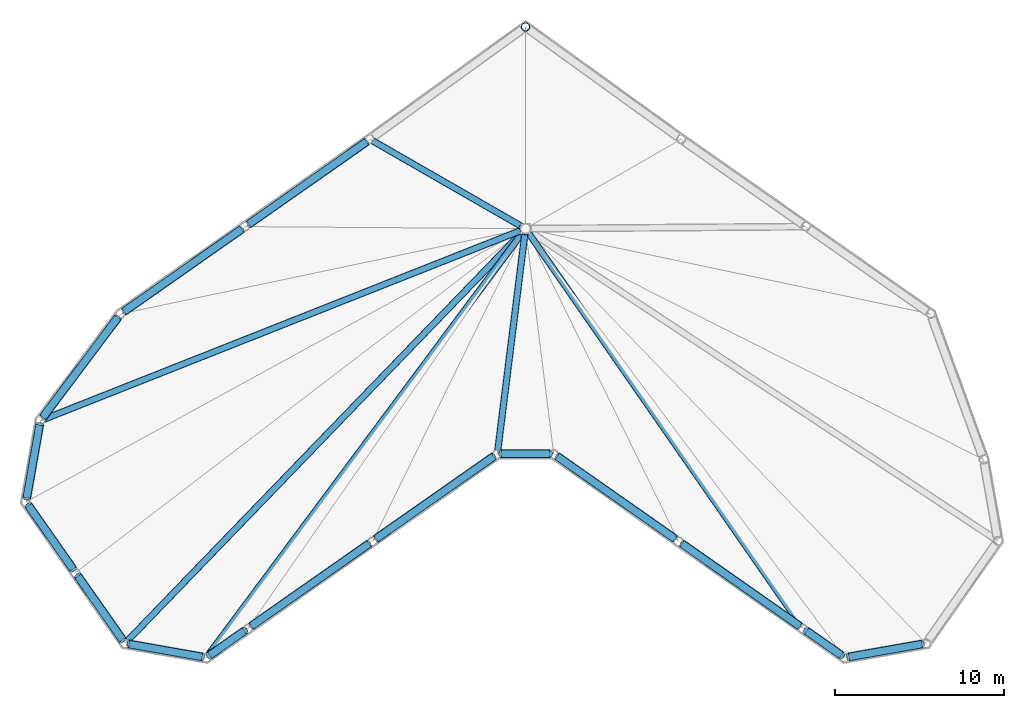
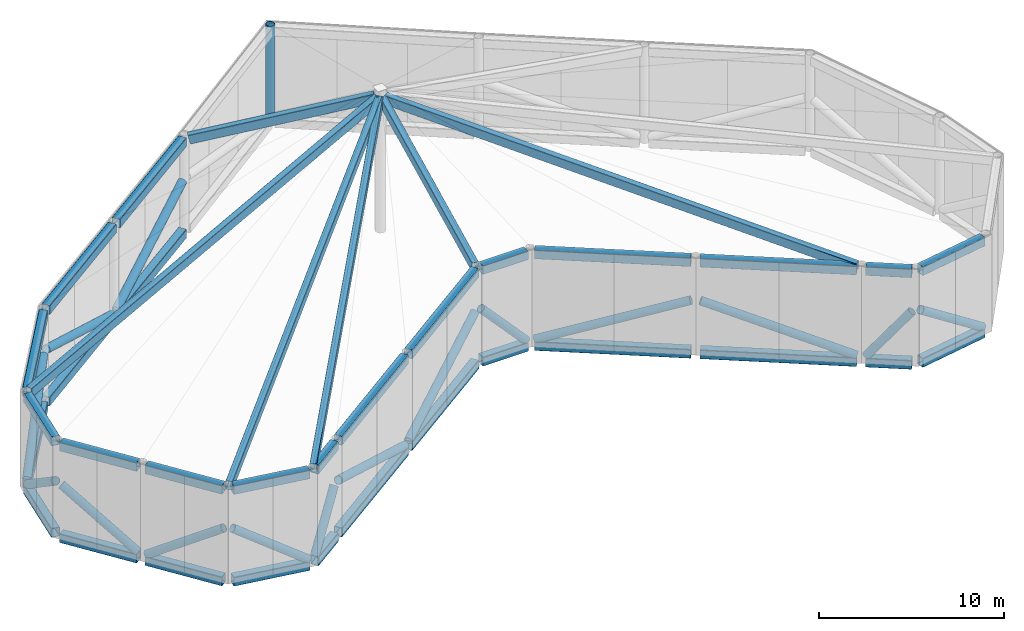
# One storey, part 2 of 4: 30 beams, 21 members, 1 column.
"""IFC4 building model written with IfcOpenShell, lengths in metres."""

import ifcopenshell
import ifcopenshell.guid

model = None  # the IFC model being written
_history = None  # IfcOwnerHistory: only IFC2X3 demands one
_inside = {}  # id of a spatial element -> (the spatial element, [elements in it])
_under = {}  # id of a project, library or spatial element -> (it, [spatial elements below it])
_declared = {}  # id of a project -> (the project, [libraries it declares])
_typed = {}  # id of a type object -> (the type object, [elements of that type])
_made_of = {}  # id of a material, layer set ... -> (it, [elements and type objects made of it])


def new_model(schema):
    """Start an empty IFC model of exactly this schema.

    Asked for "IFC4X3", IfcOpenShell would pick the latest addendum, in which some entities
    have other attributes; the version numbers below select the first issue.
    IFC2X3 requires an IfcOwnerHistory on every rooted entity: one is made here for all.
    """
    global model, _history
    if schema == "IFC4X3":
        model = ifcopenshell.file(schema_version=(4, 3, 0, 0))
    else:
        model = ifcopenshell.file(schema=schema)
    _inside.clear()
    _under.clear()
    _declared.clear()
    _typed.clear()
    _made_of.clear()
    _history = None
    if model.schema == "IFC2X3":
        org = make("IfcOrganization", Name="unknown")
        user = make(
            "IfcPersonAndOrganization",
            ThePerson=make("IfcPerson", FamilyName="unknown"),
            TheOrganization=org,
        )
        app = make(
            "IfcApplication",
            ApplicationDeveloper=org,
            Version="unknown",
            ApplicationFullName="unknown",
            ApplicationIdentifier="unknown",
        )
        _history = make(
            "IfcOwnerHistory",
            OwningUser=user,
            OwningApplication=app,
            ChangeAction="ADDED",
            CreationDate=0,
        )
    return model


def make(cls, **values):
    """One entity of the class cls with the attributes given. An attribute that is None is left unset."""
    return model.create_entity(
        cls, **{name: value for name, value in values.items() if value is not None}
    )


def rooted(cls, **values):
    """An entity with a GlobalId (a new one), such as an element, a storey or a relation."""
    return make(cls, GlobalId=ifcopenshell.guid.new(), OwnerHistory=_history, **values)


def si_unit(unit_type, name, prefix=None):
    """IfcSIUnit, for example si_unit("LENGTHUNIT", "METRE", prefix="MILLI")."""
    return make("IfcSIUnit", UnitType=unit_type, Prefix=prefix, Name=name)


def assignment(units):
    """IfcUnitAssignment: the units of a project."""
    return None if units is None else make("IfcUnitAssignment", Units=units)


def point(xyz):
    """IfcCartesianPoint."""
    return None if xyz is None else make("IfcCartesianPoint", Coordinates=xyz)


def direction(xyz):
    """IfcDirection."""
    return None if xyz is None else make("IfcDirection", DirectionRatios=xyz)


def frame(location, z_axis=None, x_axis=None):
    """IfcAxis2Placement3D, a coordinate frame: its origin and axes. An axis left out is left unset."""
    return make(
        "IfcAxis2Placement3D",
        Location=point(location),
        Axis=direction(z_axis),
        RefDirection=direction(x_axis),
    )


def frame_2d(location, x_axis=None):
    """IfcAxis2Placement2D, a coordinate frame in the plane: its origin and x axis."""
    return make(
        "IfcAxis2Placement2D", Location=point(location), RefDirection=direction(x_axis)
    )


def origin():
    """The frame at (0, 0, 0) with its axes left unset."""
    return frame((0.0, 0.0, 0.0))


def origin_2d():
    """The frame at (0, 0) in the plane with its x axis left unset."""
    return frame_2d((0.0, 0.0))


def place(relative_to, where):
    """IfcLocalPlacement: puts the frame where relative to a parent placement (None: the world)."""
    return make(
        "IfcLocalPlacement", PlacementRelTo=relative_to, RelativePlacement=where
    )


def context(
    kind, dimensions, precision=None, world=None, true_north=None, identifier=None
):
    """IfcGeometricRepresentationContext, for example the 3D "Model" context."""
    return make(
        "IfcGeometricRepresentationContext",
        ContextIdentifier=identifier,
        ContextType=kind,
        CoordinateSpaceDimension=dimensions,
        Precision=precision,
        WorldCoordinateSystem=world,
        TrueNorth=true_north,
    )


def subcontext(parent, identifier, kind, view, scale=None):
    """IfcGeometricRepresentationSubContext, for example "Body" below "Model"."""
    return make(
        "IfcGeometricRepresentationSubContext",
        ContextIdentifier=identifier,
        ContextType=kind,
        ParentContext=parent,
        TargetScale=scale,
        TargetView=view,
    )


def project(units=None, contexts=None):
    """IfcProject with its units and contexts."""
    return rooted(
        "IfcProject",
        Name="project",
        RepresentationContexts=contexts,
        UnitsInContext=assignment(units),
    )


def spatial(cls, under=None, at=None, **own):
    """A site, building, storey or space (cls), placed at a placement, below another one or the project."""
    s = rooted(cls, ObjectPlacement=at, **own)
    if under is not None:
        _under.setdefault(under.id(), (under, []))[1].append(s)
    return s


def profile(cls, at=None, kind="AREA", **sizes):
    """A parametric profile (cls). Its sizes go by their IFC names, for example OverallWidth=200.0."""
    return make(cls, ProfileType=kind, Position=at, **sizes)


def hollow_rectangle(**sizes):
    """IfcRectangleHollowProfileDef."""
    return profile("IfcRectangleHollowProfileDef", **sizes)


def hollow_circle(**sizes):
    """IfcCircleHollowProfileDef."""
    return profile("IfcCircleHollowProfileDef", **sizes)


def extrude(swept, where, along, depth):
    """IfcExtrudedAreaSolid: the profile swept, set in the frame where, extruded along a direction by depth."""
    return make(
        "IfcExtrudedAreaSolid",
        SweptArea=swept,
        Position=where,
        ExtrudedDirection=direction(along),
        Depth=depth,
    )


def shape(context_of_items, identifier, shape_type, items):
    """IfcShapeRepresentation: the items that make up one representation, for example the "Body"."""
    return make(
        "IfcShapeRepresentation",
        ContextOfItems=context_of_items,
        RepresentationIdentifier=identifier,
        RepresentationType=shape_type,
        Items=items,
    )


def material(Name=None, Category=None):
    """IfcMaterial."""
    return make("IfcMaterial", Name=Name, Category=Category)


def material_profile(
    of_material, cross_section, Name=None, Category=None, Priority=None
):
    """IfcMaterialProfile: a cross section and its material."""
    return make(
        "IfcMaterialProfile",
        Name=Name,
        Material=of_material,
        Profile=cross_section,
        Priority=Priority,
        Category=Category,
    )


def profile_set(profiles, Name=None, composite=None):
    """IfcMaterialProfileSet."""
    return make(
        "IfcMaterialProfileSet",
        Name=Name,
        MaterialProfiles=profiles,
        CompositeProfile=composite,
    )


def made_of(thing, what):
    """Note that an element or type object is made of a material, layer set ...; save() writes the relation."""
    if what is not None:
        _made_of.setdefault(what.id(), (what, []))[1].append(thing)
    return thing


def type_object(cls, material=None, **own):
    """A type object (cls), such as IfcWallType, which elements share."""
    return made_of(rooted(cls, **own), material)


def element(
    cls,
    number,
    at=None,
    inside=None,
    cuts=None,
    type_object=None,
    material=None,
    context=None,
    identifier="Body",
    shape_type=None,
    held_by="IfcProductDefinitionShape",
    body=None,
    shapes=None,
    **own,
):
    """One element of the class cls, such as IfcWall. Its Tag is "e" and its number.

    at: its placement. inside: the storey or other place that contains it. cuts: it is an
    opening in that element (IfcRelVoidsElement). A single representation is given by context,
    identifier, shape_type and body (its items); several are given by shapes. held_by: the class
    of the entity that holds the representations. save() writes the other relations.
    """
    e = rooted(cls, Tag="e%d" % number, ObjectPlacement=at, **own)
    if body is not None:
        shapes = [shape(context, identifier, shape_type, body)]
    if shapes is not None:
        e.Representation = make(held_by, Representations=shapes)
    if inside is not None:
        _inside.setdefault(inside.id(), (inside, []))[1].append(e)
    if cuts is not None:
        rooted(
            "IfcRelVoidsElement", RelatingBuildingElement=cuts, RelatedOpeningElement=e
        )
    if type_object is not None:
        _typed.setdefault(type_object.id(), (type_object, []))[1].append(e)
    return made_of(e, material)


def aggregate(whole, parts):
    """IfcRelAggregates: a whole, such as a stair, and the parts it consists of."""
    return rooted("IfcRelAggregates", RelatingObject=whole, RelatedObjects=parts)


def save(model, path):
    """Write the relations noted so far, then the file.

    IfcRelAggregates (storeys below a building ...), IfcRelContainedInSpatialStructure (elements
    in a storey), IfcRelDefinesByType, IfcRelAssociatesMaterial and IfcRelDeclares: one each for
    every whole, place, type object, material and project.
    """
    for whole, parts in _under.values():
        aggregate(whole, parts)
    for where, things in _inside.values():
        rooted(
            "IfcRelContainedInSpatialStructure",
            RelatedElements=things,
            RelatingStructure=where,
        )
    for kind, things in _typed.values():
        rooted("IfcRelDefinesByType", RelatedObjects=things, RelatingType=kind)
    for what, things in _made_of.values():
        rooted("IfcRelAssociatesMaterial", RelatedObjects=things, RelatingMaterial=what)
    for by, libraries in _declared.values():
        rooted("IfcRelDeclares", RelatingContext=by, RelatedDefinitions=libraries)
    model.write(path)


model = new_model("IFC4")

# Units and contexts
model_context = context("Model", 3, precision=1e-05, world=origin(), true_north=direction((0.0, 1.0)))
body_context = subcontext(model_context, "Body", "Model", "MODEL_VIEW")
ifc_project = project(units=[si_unit("LENGTHUNIT", "METRE"), si_unit("AREAUNIT", "SQUARE_METRE"), si_unit("VOLUMEUNIT", "CUBIC_METRE"), si_unit("PLANEANGLEUNIT", "RADIAN"), si_unit("MASSUNIT", "GRAM", prefix="KILO")], contexts=[model_context])

# Site, building, storey
site_placement = place(None, origin())
site = spatial("IfcSite", under=ifc_project, at=site_placement, CompositionType="ELEMENT")
building_placement = place(site_placement, origin())
building = spatial("IfcBuilding", under=site, at=building_placement, Name="Tel Ilan Convention Tower", CompositionType="ELEMENT")
storey_placement = place(building_placement, frame((0.0, 0.0, 338.800048828125)))
storey = spatial("IfcBuildingStorey", under=building, at=storey_placement, Name="L80", CompositionType="ELEMENT", Elevation=338.800048828125)

# Column
ifc_material_1 = material(Name="Steel S355", Category="steel")
ifc_material_profile_1 = material_profile(ifc_material_1, hollow_circle(Radius=0.25390625, WallThickness=0.02490234375, at=origin_2d()), Name="CHS 508x25")
ifc_profile_set_1 = profile_set([ifc_material_profile_1], Name="Steel S355")
column_type = type_object("IfcColumnType", Name="CROWN FRAME COLUMN CHS 508x25", PredefinedType="COLUMN", material=ifc_profile_set_1)
column_placement = place(storey_placement, frame((0.0, 11.91796875, 0.0), z_axis=(0.0, 0.0, 1.0), x_axis=(1.0, 0.0, 0.0)))
element("IfcColumn", 1, at=column_placement, inside=storey, type_object=column_type, Name="CROWN FRAME column", PredefinedType="COLUMN", context=body_context, shape_type="SweptSolid", body=[
    extrude(hollow_circle(Radius=0.25390625, WallThickness=0.02490234375, at=origin_2d()), origin(), (0.0, 0.0, 1.0), 6.39990234375),
])

# Members
ifc_material_2 = material(Name="Steel S355", Category="steel")
ifc_material_profile_2 = material_profile(ifc_material_2, hollow_circle(Radius=0.25390625, WallThickness=0.01611328125, at=origin_2d()), Name="CHS 508x16")
ifc_profile_set_2 = profile_set([ifc_material_profile_2], Name="Steel S355")
member_type_1 = type_object("IfcMemberType", Name="CROWN FRAME BRACE CHS 508x16", PredefinedType="BRACE", material=ifc_profile_set_2)
member_1_placement = place(storey_placement, frame((-18.658935546875, -25.212158203125, 0.300048828125), z_axis=(0.513178619915, 0.359409188947, 0.779405375246), x_axis=(-0.573659598331, 0.819093807352, 0.0)))
element("IfcMember", 2, at=member_1_placement, inside=storey, type_object=member_type_1, Name="CROWN FRAME brace", PredefinedType="BRACE", context=body_context, shape_type="SweptSolid", body=[
    extrude(hollow_circle(Radius=0.25390625, WallThickness=0.01611328125, at=origin_2d()), origin(), (0.0, 0.0, 1.0), 3.977294921875),
])
member_2_placement = place(storey_placement, frame((-16.201904296875, -23.4912109375, 3.39990234375), z_axis=(0.769478248606, 0.538804922947, -0.342917599331), x_axis=(-0.573583902989, 0.819146816042, 0.0)))
element("IfcMember", 3, at=member_2_placement, inside=storey, type_object=member_type_1, Name="CROWN FRAME brace", PredefinedType="BRACE", context=body_context, shape_type="SweptSolid", body=[
    extrude(hollow_circle(Radius=0.25390625, WallThickness=0.01611328125, at=origin_2d()), origin(), (0.0, 0.0, 1.0), 9.03955078125),
])
member_3_placement = place(storey_placement, frame((-8.829833984375, -18.329345703125, 0.300048828125), z_axis=(0.76952230933, 0.538760135853, 0.342889094984), x_axis=(-0.57352987213, 0.819184646935, 0.0)))
element("IfcMember", 4, at=member_3_placement, inside=storey, type_object=member_type_1, Name="CROWN FRAME brace", PredefinedType="BRACE", context=body_context, shape_type="SweptSolid", body=[
    extrude(hollow_circle(Radius=0.25390625, WallThickness=0.01611328125, at=origin_2d()), origin(), (0.0, 0.0, 1.0), 9.040283203125),
])
member_4_placement = place(storey_placement, frame((-1.410888671875, -13.31298828125, 3.39990234375), z_axis=(0.673159666379, 0.0, -0.739497169407), x_axis=(0.0, 1.0, 0.0)))
element("IfcMember", 5, at=member_4_placement, inside=storey, type_object=member_type_1, Name="CROWN FRAME brace", PredefinedType="BRACE", context=body_context, shape_type="SweptSolid", body=[
    extrude(hollow_circle(Radius=0.25390625, WallThickness=0.01611328125, at=origin_2d()), origin(), (0.0, 0.0, 1.0), 4.19189453125),
])
member_5_placement = place(storey_placement, frame((1.873046875, -13.458740234375, 0.300048828125), z_axis=(0.76952230933, -0.538760135853, 0.342889094984), x_axis=(0.57352987213, 0.819184646935, 0.0)))
element("IfcMember", 6, at=member_5_placement, inside=storey, type_object=member_type_1, Name="CROWN FRAME brace", PredefinedType="BRACE", context=body_context, shape_type="SweptSolid", body=[
    extrude(hollow_circle(Radius=0.25390625, WallThickness=0.01611328125, at=origin_2d()), origin(), (0.0, 0.0, 1.0), 9.040283203125),
])
member_6_placement = place(storey_placement, frame((9.24609375, -18.62060546875, 3.39990234375), z_axis=(0.769478248606, -0.538804922947, -0.342917599331), x_axis=(0.573583902989, 0.819146816042, 0.0)))
element("IfcMember", 7, at=member_6_placement, inside=storey, type_object=member_type_1, Name="CROWN FRAME brace", PredefinedType="BRACE", context=body_context, shape_type="SweptSolid", body=[
    extrude(hollow_circle(Radius=0.25390625, WallThickness=0.01611328125, at=origin_2d()), origin(), (0.0, 0.0, 1.0), 9.03955078125),
])
member_7_placement = place(storey_placement, frame((16.617919921875, -23.78271484375, 0.300048828125), z_axis=(0.513178619915, -0.359409188947, 0.779405375246), x_axis=(0.573659598331, 0.819093807352, 0.0)))
element("IfcMember", 8, at=member_7_placement, inside=storey, type_object=member_type_1, Name="CROWN FRAME brace", PredefinedType="BRACE", context=body_context, shape_type="SweptSolid", body=[
    extrude(hollow_circle(Radius=0.25390625, WallThickness=0.01611328125, at=origin_2d()), origin(), (0.0, 0.0, 1.0), 3.977294921875),
])
member_8_placement = place(storey_placement, frame((19.1171875, -25.31396484375, 3.39990234375), z_axis=(0.803314865562, 0.141600646675, -0.57847600091), x_axis=(-0.173594152601, 0.984817277561, 0.0)))
element("IfcMember", 9, at=member_8_placement, inside=storey, type_object=member_type_1, Name="CROWN FRAME brace", PredefinedType="BRACE", context=body_context, shape_type="SweptSolid", body=[
    extrude(hollow_circle(Radius=0.25390625, WallThickness=0.01611328125, at=origin_2d()), origin(), (0.0, 0.0, 1.0), 5.358642578125),
])
member_9_placement = place(storey_placement, frame((-9.401123046875, 5.13720703125, 3.39990234375), z_axis=(-0.769478248606, -0.538804922947, -0.342917599331), x_axis=(0.573583902989, -0.819146816042, 0.0)))
element("IfcMember", 10, at=member_9_placement, inside=storey, type_object=member_type_1, Name="CROWN FRAME brace", PredefinedType="BRACE", context=body_context, shape_type="SweptSolid", body=[
    extrude(hollow_circle(Radius=0.25390625, WallThickness=0.01611328125, at=origin_2d()), origin(), (0.0, 0.0, 1.0), 9.03955078125),
])
member_10_placement = place(storey_placement, frame((-16.77294921875, -0.024658203125, 0.300048828125), z_axis=(-0.769444475923, -0.538870387217, 0.342890513506), x_axis=(0.573647554936, -0.819102241918, 0.0)))
element("IfcMember", 11, at=member_10_placement, inside=storey, type_object=member_type_1, Name="CROWN FRAME brace", PredefinedType="BRACE", context=body_context, shape_type="SweptSolid", body=[
    extrude(hollow_circle(Radius=0.25390625, WallThickness=0.01611328125, at=origin_2d()), origin(), (0.0, 0.0, 1.0), 9.040283203125),
])
member_11_placement = place(storey_placement, frame((-24.089599609375, -5.2451171875, 3.39990234375), z_axis=(-0.553797647515, -0.737156782723, -0.387179600821), x_axis=(0.799515545431, -0.600645396731, 0.0)))
element("IfcMember", 12, at=member_11_placement, inside=storey, type_object=member_type_1, Name="CROWN FRAME brace", PredefinedType="BRACE", context=body_context, shape_type="SweptSolid", body=[
    extrude(hollow_circle(Radius=0.25390625, WallThickness=0.01611328125, at=origin_2d()), origin(), (0.0, 0.0, 1.0), 8.00634765625),
])
member_12_placement = place(storey_placement, frame((-28.72021484375, -11.60009765625, 0.300048828125), z_axis=(-0.141600646675, -0.803314865562, 0.57847600091), x_axis=(0.984817277561, -0.173594152601, 0.0)))
element("IfcMember", 13, at=member_12_placement, inside=storey, type_object=member_type_1, Name="CROWN FRAME brace", PredefinedType="BRACE", context=body_context, shape_type="SweptSolid", body=[
    extrude(hollow_circle(Radius=0.25390625, WallThickness=0.01611328125, at=origin_2d()), origin(), (0.0, 0.0, 1.0), 5.358642578125),
])
member_13_placement = place(storey_placement, frame((-29.37744140625, -16.363037109375, 3.39990234375), z_axis=(0.475361294031, -0.678980550587, -0.559479268661), x_axis=(0.819189459192, 0.573522998622, 0.0)))
element("IfcMember", 14, at=member_13_placement, inside=storey, type_object=member_type_1, Name="CROWN FRAME brace", PredefinedType="BRACE", context=body_context, shape_type="SweptSolid", body=[
    extrude(hollow_circle(Radius=0.25390625, WallThickness=0.01611328125, at=origin_2d()), origin(), (0.0, 0.0, 1.0), 5.54052734375),
])
member_14_placement = place(storey_placement, frame((-26.452392578125, -20.541015625, 0.300048828125), z_axis=(0.47549770428, -0.678923658752, 0.559432389848), x_axis=(0.819089549842, 0.573665677324, 0.0)))
element("IfcMember", 15, at=member_14_placement, inside=storey, type_object=member_type_1, Name="CROWN FRAME brace", PredefinedType="BRACE", context=body_context, shape_type="SweptSolid", body=[
    extrude(hollow_circle(Radius=0.25390625, WallThickness=0.01611328125, at=origin_2d()), origin(), (0.0, 0.0, 1.0), 5.541015625),
])
member_15_placement = place(storey_placement, frame((-23.421875, -24.55517578125, 3.39990234375), z_axis=(0.803314865562, -0.141600646675, -0.57847600091), x_axis=(0.173594152601, 0.984817277561, 0.0)))
element("IfcMember", 16, at=member_15_placement, inside=storey, type_object=member_type_1, Name="CROWN FRAME brace", PredefinedType="BRACE", context=body_context, shape_type="SweptSolid", body=[
    extrude(hollow_circle(Radius=0.25390625, WallThickness=0.01611328125, at=origin_2d()), origin(), (0.0, 0.0, 1.0), 5.358642578125),
])
ifc_material_3 = material(Name="Steel S355", Category="steel")
ifc_material_profile_3 = material_profile(ifc_material_3, hollow_rectangle(XDim=0.39990234375, YDim=0.60009765625, WallThickness=0.02001953125, InnerFilletRadius=0.02001953125, OuterFilletRadius=0.0400390625, at=origin_2d()), Name="RHS 600x400x20")
ifc_profile_set_3 = profile_set([ifc_material_profile_3], Name="Steel S355")
member_type_2 = type_object("IfcMemberType", Name="CROWN FRAME RAFTER RHS 600x400x20", PredefinedType="BRACE", material=ifc_profile_set_3)
member_16_placement = place(storey_placement, frame((-18.71533203125, -25.154296875, 6.099853515625), z_axis=(0.594678497119, 0.799281366069, 0.086641692725), x_axis=(-0.802298378632, 0.596923204143, 0.0)))
element("IfcMember", 17, at=member_16_placement, inside=storey, type_object=member_type_2, Name="CROWN FRAME rafter", PredefinedType="BRACE", context=body_context, shape_type="SweptSolid", body=[
    extrude(hollow_rectangle(XDim=0.39990234375, YDim=0.60009765625, WallThickness=0.02001953125, InnerFilletRadius=0.02001953125, OuterFilletRadius=0.0400390625, at=origin_2d()), origin(), (0.0, 0.0, 1.0), 31.1650390625),
])
member_17_placement = place(storey_placement, frame((-1.633544921875, -13.06103515625, 6.099853515625), z_axis=(0.121455491059, 0.971086452228, 0.205522908677), x_axis=(-0.992269110596, 0.124104843409, 0.0)))
element("IfcMember", 18, at=member_17_placement, inside=storey, type_object=member_type_2, Name="CROWN FRAME rafter", PredefinedType="BRACE", context=body_context, shape_type="SweptSolid", body=[
    extrude(hollow_rectangle(XDim=0.39990234375, YDim=0.60009765625, WallThickness=0.02001953125, InnerFilletRadius=0.02001953125, OuterFilletRadius=0.0400390625, at=origin_2d()), origin(), (0.0, 0.0, 1.0), 13.13818359375),
])
member_18_placement = place(storey_placement, frame((16.26513671875, -23.428466796875, 6.099853515625), z_axis=(-0.567694453348, 0.817709123313, 0.095261730451), x_axis=(-0.821444840553, -0.570287974561, 0.0)))
element("IfcMember", 19, at=member_18_placement, inside=storey, type_object=member_type_2, Name="CROWN FRAME rafter", PredefinedType="BRACE", context=body_context, shape_type="SweptSolid", body=[
    extrude(hollow_rectangle(XDim=0.39990234375, YDim=0.60009765625, WallThickness=0.02001953125, InnerFilletRadius=0.02001953125, OuterFilletRadius=0.0400390625, at=origin_2d()), origin(), (0.0, 0.0, 1.0), 28.344970703125),
])
member_19_placement = place(storey_placement, frame((-8.97265625, 5.156494140625, 6.099853515625), z_axis=(0.837288897762, -0.481190532822, 0.259620825065), x_axis=(0.498276104921, 0.867018409992, 0.0)))
element("IfcMember", 20, at=member_19_placement, inside=storey, type_object=member_type_2, Name="CROWN FRAME rafter", PredefinedType="BRACE", context=body_context, shape_type="SweptSolid", body=[
    extrude(hollow_rectangle(XDim=0.39990234375, YDim=0.60009765625, WallThickness=0.02001953125, InnerFilletRadius=0.02001953125, OuterFilletRadius=0.0400390625, at=origin_2d()), origin(), (0.0, 0.0, 1.0), 10.400634765625),
])
member_20_placement = place(storey_placement, frame((-28.43994140625, -11.256591796875, 6.099853515625), z_axis=(0.926142025719, 0.366568439997, 0.088817380033), x_axis=(-0.368022893314, 0.929816729252, 0.0)))
element("IfcMember", 21, at=member_20_placement, inside=storey, type_object=member_type_2, Name="CROWN FRAME rafter", PredefinedType="BRACE", context=body_context, shape_type="SweptSolid", body=[
    extrude(hollow_rectangle(XDim=0.39990234375, YDim=0.60009765625, WallThickness=0.02001953125, InnerFilletRadius=0.02001953125, OuterFilletRadius=0.0400390625, at=origin_2d()), origin(), (0.0, 0.0, 1.0), 30.401611328125),
])
member_21_placement = place(storey_placement, frame((-23.49560546875, -24.328369140625, 6.099853515625), z_axis=(0.692445929862, 0.716986846743, 0.080302526835), x_axis=(-0.719309830956, 0.694689403324, 0.0)))
element("IfcMember", 22, at=member_21_placement, inside=storey, type_object=member_type_2, Name="CROWN FRAME rafter", PredefinedType="BRACE", context=body_context, shape_type="SweptSolid", body=[
    extrude(hollow_rectangle(XDim=0.39990234375, YDim=0.60009765625, WallThickness=0.02001953125, InnerFilletRadius=0.02001953125, OuterFilletRadius=0.0400390625, at=origin_2d()), origin(), (0.0, 0.0, 1.0), 33.625244140625),
])

# Beams
ifc_material_4 = material(Name="Steel S355", Category="steel")
ifc_material_profile_4 = material_profile(ifc_material_4, hollow_rectangle(XDim=0.5, YDim=0.60009765625, WallThickness=0.02490234375, InnerFilletRadius=0.02490234375, OuterFilletRadius=0.050048828125, at=origin_2d()), Name="RHS 600x500x25")
ifc_profile_set_4 = profile_set([ifc_material_profile_4], Name="Steel S355")
beam_type = type_object("IfcBeamType", Name="CROWN FRAME RING BEAM RHS 600x500x25", PredefinedType="BEAM", material=ifc_profile_set_4)
for number, where, z_axis, x_axis, name in (
    (23, (-18.658935546875, -25.212158203125, 0.0), (0.819093807352, 0.573659598331, 0.0), (-0.573659598331, 0.819093807352, 0.0), "CROWN FRAME ring beam"),
    (24, (-18.658935546875, -25.212158203125, 6.050048828125), (0.819093807352, 0.573659598331, 0.0), (-0.573659598331, 0.819093807352, 0.0), "CROWN FRAME ring beam"),
):
    element("IfcBeam", number, at=place(storey_placement, frame(where, z_axis=z_axis, x_axis=x_axis)), inside=storey, type_object=beam_type, Name=name, PredefinedType="BEAM", context=body_context, shape_type="SweptSolid", body=[
        extrude(hollow_rectangle(XDim=0.5, YDim=0.60009765625, WallThickness=0.02490234375, InnerFilletRadius=0.02490234375, OuterFilletRadius=0.050048828125, at=origin_2d()), origin(), (0.0, 0.0, 1.0), 2.49169921875),
    ])
for number, where, z_axis, x_axis, name in (
    (25, (-16.201904296875, -23.4912109375, 0.0), (0.819146816042, 0.573583902989, 0.0), (-0.573583902989, 0.819146816042, 0.0), "CROWN FRAME ring beam"),
    (26, (-16.201904296875, -23.4912109375, 6.050048828125), (0.819146816042, 0.573583902989, 0.0), (-0.573583902989, 0.819146816042, 0.0), "CROWN FRAME ring beam"),
):
    element("IfcBeam", number, at=place(storey_placement, frame(where, z_axis=z_axis, x_axis=x_axis)), inside=storey, type_object=beam_type, Name=name, PredefinedType="BEAM", context=body_context, shape_type="SweptSolid", body=[
        extrude(hollow_rectangle(XDim=0.5, YDim=0.60009765625, WallThickness=0.02490234375, InnerFilletRadius=0.02490234375, OuterFilletRadius=0.050048828125, at=origin_2d()), origin(), (0.0, 0.0, 1.0), 8.491455078125),
    ])
for number, where, z_axis, x_axis, name in (
    (27, (-8.829833984375, -18.329345703125, 0.0), (0.819184646935, 0.57352987213, 0.0), (-0.57352987213, 0.819184646935, 0.0), "CROWN FRAME ring beam"),
    (28, (-8.829833984375, -18.329345703125, 6.050048828125), (0.819184646935, 0.57352987213, 0.0), (-0.57352987213, 0.819184646935, 0.0), "CROWN FRAME ring beam"),
):
    element("IfcBeam", number, at=place(storey_placement, frame(where, z_axis=z_axis, x_axis=x_axis)), inside=storey, type_object=beam_type, Name=name, PredefinedType="BEAM", context=body_context, shape_type="SweptSolid", body=[
        extrude(hollow_rectangle(XDim=0.5, YDim=0.60009765625, WallThickness=0.02490234375, InnerFilletRadius=0.02490234375, OuterFilletRadius=0.050048828125, at=origin_2d()), origin(), (0.0, 0.0, 1.0), 8.492431640625),
    ])
for number, where, z_axis, x_axis, name in (
    (29, (-1.410888671875, -13.31298828125, 0.0), (1.0, 0.0, 0.0), (0.0, 1.0, 0.0), "CROWN FRAME ring beam"),
    (30, (-1.410888671875, -13.31298828125, 6.050048828125), (1.0, 0.0, 0.0), (0.0, 1.0, 0.0), "CROWN FRAME ring beam"),
):
    element("IfcBeam", number, at=place(storey_placement, frame(where, z_axis=z_axis, x_axis=x_axis)), inside=storey, type_object=beam_type, Name=name, PredefinedType="BEAM", context=body_context, shape_type="SweptSolid", body=[
        extrude(hollow_rectangle(XDim=0.5, YDim=0.60009765625, WallThickness=0.02490234375, InnerFilletRadius=0.02490234375, OuterFilletRadius=0.050048828125, at=origin_2d()), origin(), (0.0, 0.0, 1.0), 2.82177734375),
    ])
for number, where, z_axis, x_axis, name in (
    (31, (1.873046875, -13.458740234375, 0.0), (0.819184646935, -0.57352987213, 0.0), (0.57352987213, 0.819184646935, 0.0), "CROWN FRAME ring beam"),
    (32, (1.873046875, -13.458740234375, 6.050048828125), (0.819184646935, -0.57352987213, 0.0), (0.57352987213, 0.819184646935, 0.0), "CROWN FRAME ring beam"),
):
    element("IfcBeam", number, at=place(storey_placement, frame(where, z_axis=z_axis, x_axis=x_axis)), inside=storey, type_object=beam_type, Name=name, PredefinedType="BEAM", context=body_context, shape_type="SweptSolid", body=[
        extrude(hollow_rectangle(XDim=0.5, YDim=0.60009765625, WallThickness=0.02490234375, InnerFilletRadius=0.02490234375, OuterFilletRadius=0.050048828125, at=origin_2d()), origin(), (0.0, 0.0, 1.0), 8.492431640625),
    ])
for number, where, z_axis, x_axis, name in (
    (33, (9.24609375, -18.62060546875, 0.0), (0.819146816042, -0.573583902989, 0.0), (0.573583902989, 0.819146816042, 0.0), "CROWN FRAME ring beam"),
    (34, (9.24609375, -18.62060546875, 6.050048828125), (0.819146816042, -0.573583902989, 0.0), (0.573583902989, 0.819146816042, 0.0), "CROWN FRAME ring beam"),
):
    element("IfcBeam", number, at=place(storey_placement, frame(where, z_axis=z_axis, x_axis=x_axis)), inside=storey, type_object=beam_type, Name=name, PredefinedType="BEAM", context=body_context, shape_type="SweptSolid", body=[
        extrude(hollow_rectangle(XDim=0.5, YDim=0.60009765625, WallThickness=0.02490234375, InnerFilletRadius=0.02490234375, OuterFilletRadius=0.050048828125, at=origin_2d()), origin(), (0.0, 0.0, 1.0), 8.491455078125),
    ])
for number, where, z_axis, x_axis, name in (
    (35, (16.617919921875, -23.78271484375, 0.0), (0.819093807352, -0.573659598331, 0.0), (0.573659598331, 0.819093807352, 0.0), "CROWN FRAME ring beam"),
    (36, (16.617919921875, -23.78271484375, 6.050048828125), (0.819093807352, -0.573659598331, 0.0), (0.573659598331, 0.819093807352, 0.0), "CROWN FRAME ring beam"),
):
    element("IfcBeam", number, at=place(storey_placement, frame(where, z_axis=z_axis, x_axis=x_axis)), inside=storey, type_object=beam_type, Name=name, PredefinedType="BEAM", context=body_context, shape_type="SweptSolid", body=[
        extrude(hollow_rectangle(XDim=0.5, YDim=0.60009765625, WallThickness=0.02490234375, InnerFilletRadius=0.02490234375, OuterFilletRadius=0.050048828125, at=origin_2d()), origin(), (0.0, 0.0, 1.0), 2.49169921875),
    ])
for number, where, z_axis, x_axis, name in (
    (37, (19.1171875, -25.31396484375, 0.0), (0.984817277561, 0.173594152601, 0.0), (-0.173594152601, 0.984817277561, 0.0), "CROWN FRAME ring beam"),
    (38, (19.1171875, -25.31396484375, 6.050048828125), (0.984817277561, 0.173594152601, 0.0), (-0.173594152601, 0.984817277561, 0.0), "CROWN FRAME ring beam"),
):
    element("IfcBeam", number, at=place(storey_placement, frame(where, z_axis=z_axis, x_axis=x_axis)), inside=storey, type_object=beam_type, Name=name, PredefinedType="BEAM", context=body_context, shape_type="SweptSolid", body=[
        extrude(hollow_rectangle(XDim=0.5, YDim=0.60009765625, WallThickness=0.02490234375, InnerFilletRadius=0.02490234375, OuterFilletRadius=0.050048828125, at=origin_2d()), origin(), (0.0, 0.0, 1.0), 4.37109375),
    ])
for number, where, z_axis, x_axis, name in (
    (39, (-9.401123046875, 5.13720703125, 0.0), (-0.819146816042, -0.573583902989, 0.0), (0.573583902989, -0.819146816042, 0.0), "CROWN FRAME ring beam"),
    (40, (-9.401123046875, 5.13720703125, 6.050048828125), (-0.819146816042, -0.573583902989, 0.0), (0.573583902989, -0.819146816042, 0.0), "CROWN FRAME ring beam"),
):
    element("IfcBeam", number, at=place(storey_placement, frame(where, z_axis=z_axis, x_axis=x_axis)), inside=storey, type_object=beam_type, Name=name, PredefinedType="BEAM", context=body_context, shape_type="SweptSolid", body=[
        extrude(hollow_rectangle(XDim=0.5, YDim=0.60009765625, WallThickness=0.02490234375, InnerFilletRadius=0.02490234375, OuterFilletRadius=0.050048828125, at=origin_2d()), origin(), (0.0, 0.0, 1.0), 8.491455078125),
    ])
for number, where, z_axis, x_axis, name in (
    (41, (-16.77294921875, -0.024658203125, 0.0), (-0.819102241918, -0.573647554936, 0.0), (0.573647554936, -0.819102241918, 0.0), "CROWN FRAME ring beam"),
    (42, (-16.77294921875, -0.024658203125, 6.050048828125), (-0.819102241918, -0.573647554936, 0.0), (0.573647554936, -0.819102241918, 0.0), "CROWN FRAME ring beam"),
):
    element("IfcBeam", number, at=place(storey_placement, frame(where, z_axis=z_axis, x_axis=x_axis)), inside=storey, type_object=beam_type, Name=name, PredefinedType="BEAM", context=body_context, shape_type="SweptSolid", body=[
        extrude(hollow_rectangle(XDim=0.5, YDim=0.60009765625, WallThickness=0.02490234375, InnerFilletRadius=0.02490234375, OuterFilletRadius=0.050048828125, at=origin_2d()), origin(), (0.0, 0.0, 1.0), 8.4921875),
    ])
for number, where, z_axis, x_axis, name in (
    (43, (-24.089599609375, -5.2451171875, 0.0), (-0.600645396731, -0.799515545431, 0.0), (0.799515545431, -0.600645396731, 0.0), "CROWN FRAME ring beam"),
    (44, (-24.089599609375, -5.2451171875, 6.050048828125), (-0.600645396731, -0.799515545431, 0.0), (0.799515545431, -0.600645396731, 0.0), "CROWN FRAME ring beam"),
):
    element("IfcBeam", number, at=place(storey_placement, frame(where, z_axis=z_axis, x_axis=x_axis)), inside=storey, type_object=beam_type, Name=name, PredefinedType="BEAM", context=body_context, shape_type="SweptSolid", body=[
        extrude(hollow_rectangle(XDim=0.5, YDim=0.60009765625, WallThickness=0.02490234375, InnerFilletRadius=0.02490234375, OuterFilletRadius=0.050048828125, at=origin_2d()), origin(), (0.0, 0.0, 1.0), 7.3818359375),
    ])
for number, where, z_axis, x_axis, name in (
    (45, (-28.72021484375, -11.60009765625, 0.0), (-0.173594152601, -0.984817277561, 0.0), (0.984817277561, -0.173594152601, 0.0), "CROWN FRAME ring beam"),
    (46, (-28.72021484375, -11.60009765625, 6.050048828125), (-0.173594152601, -0.984817277561, 0.0), (0.984817277561, -0.173594152601, 0.0), "CROWN FRAME ring beam"),
):
    element("IfcBeam", number, at=place(storey_placement, frame(where, z_axis=z_axis, x_axis=x_axis)), inside=storey, type_object=beam_type, Name=name, PredefinedType="BEAM", context=body_context, shape_type="SweptSolid", body=[
        extrude(hollow_rectangle(XDim=0.5, YDim=0.60009765625, WallThickness=0.02490234375, InnerFilletRadius=0.02490234375, OuterFilletRadius=0.050048828125, at=origin_2d()), origin(), (0.0, 0.0, 1.0), 4.37109375),
    ])
for number, where, z_axis, x_axis, name in (
    (47, (-29.37744140625, -16.363037109375, 0.0), (0.573522998622, -0.819189459192, 0.0), (0.819189459192, 0.573522998622, 0.0), "CROWN FRAME ring beam"),
    (48, (-29.37744140625, -16.363037109375, 6.050048828125), (0.573522998622, -0.819189459192, 0.0), (0.819189459192, 0.573522998622, 0.0), "CROWN FRAME ring beam"),
):
    element("IfcBeam", number, at=place(storey_placement, frame(where, z_axis=z_axis, x_axis=x_axis)), inside=storey, type_object=beam_type, Name=name, PredefinedType="BEAM", context=body_context, shape_type="SweptSolid", body=[
        extrude(hollow_rectangle(XDim=0.5, YDim=0.60009765625, WallThickness=0.02490234375, InnerFilletRadius=0.02490234375, OuterFilletRadius=0.050048828125, at=origin_2d()), origin(), (0.0, 0.0, 1.0), 4.59228515625),
    ])
for number, where, z_axis, x_axis, name in (
    (49, (-26.452392578125, -20.541015625, 0.0), (0.573665677324, -0.819089549842, 0.0), (0.819089549842, 0.573665677324, 0.0), "CROWN FRAME ring beam"),
    (50, (-26.452392578125, -20.541015625, 6.050048828125), (0.573665677324, -0.819089549842, 0.0), (0.819089549842, 0.573665677324, 0.0), "CROWN FRAME ring beam"),
):
    element("IfcBeam", number, at=place(storey_placement, frame(where, z_axis=z_axis, x_axis=x_axis)), inside=storey, type_object=beam_type, Name=name, PredefinedType="BEAM", context=body_context, shape_type="SweptSolid", body=[
        extrude(hollow_rectangle(XDim=0.5, YDim=0.60009765625, WallThickness=0.02490234375, InnerFilletRadius=0.02490234375, OuterFilletRadius=0.050048828125, at=origin_2d()), origin(), (0.0, 0.0, 1.0), 4.5927734375),
    ])
for number, where, z_axis, x_axis, name in (
    (51, (-23.421875, -24.55517578125, 0.0), (0.984817277561, -0.173594152601, 0.0), (0.173594152601, 0.984817277561, 0.0), "CROWN FRAME ring beam"),
    (52, (-23.421875, -24.55517578125, 6.050048828125), (0.984817277561, -0.173594152601, 0.0), (0.173594152601, 0.984817277561, 0.0), "CROWN FRAME ring beam"),
):
    element("IfcBeam", number, at=place(storey_placement, frame(where, z_axis=z_axis, x_axis=x_axis)), inside=storey, type_object=beam_type, Name=name, PredefinedType="BEAM", context=body_context, shape_type="SweptSolid", body=[
        extrude(hollow_rectangle(XDim=0.5, YDim=0.60009765625, WallThickness=0.02490234375, InnerFilletRadius=0.02490234375, OuterFilletRadius=0.050048828125, at=origin_2d()), origin(), (0.0, 0.0, 1.0), 4.37109375),
    ])

save(model, "model.ifc")
